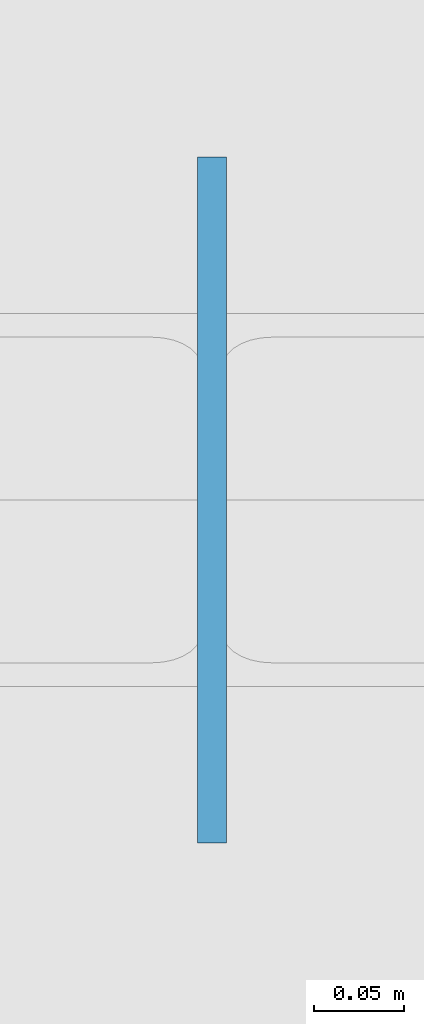
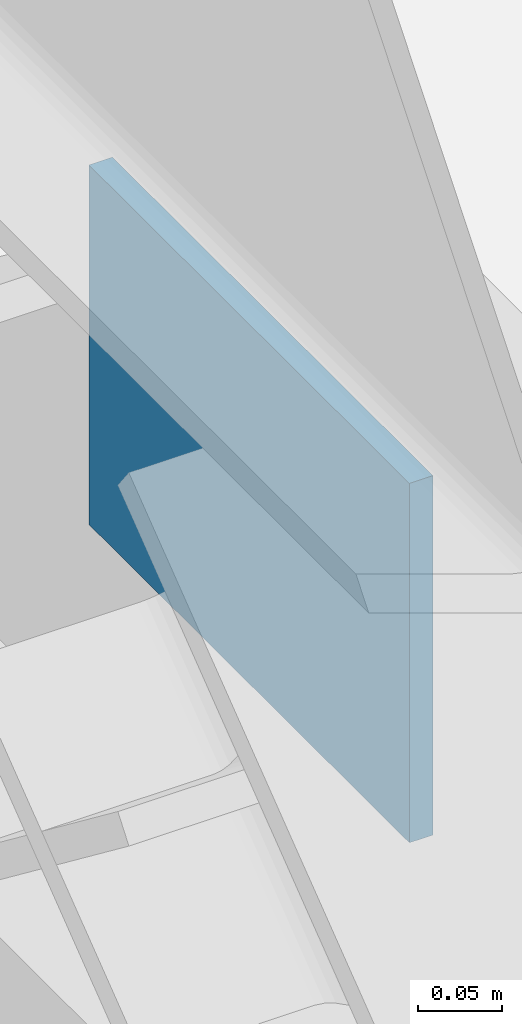
# One storey, part 71 of 101: 1 plate.
"""IFC4 building model written with IfcOpenShell, lengths in metres."""

import ifcopenshell
import ifcopenshell.guid

model = None  # the IFC model being written
_history = None  # IfcOwnerHistory: only IFC2X3 demands one
_inside = {}  # id of a spatial element -> (the spatial element, [elements in it])
_under = {}  # id of a project, library or spatial element -> (it, [spatial elements below it])
_declared = {}  # id of a project -> (the project, [libraries it declares])
_typed = {}  # id of a type object -> (the type object, [elements of that type])
_made_of = {}  # id of a material, layer set ... -> (it, [elements and type objects made of it])


def new_model(schema):
    """Start an empty IFC model of exactly this schema.

    Asked for "IFC4X3", IfcOpenShell would pick the latest addendum, in which some entities
    have other attributes; the version numbers below select the first issue.
    IFC2X3 requires an IfcOwnerHistory on every rooted entity: one is made here for all.
    """
    global model, _history
    if schema == "IFC4X3":
        model = ifcopenshell.file(schema_version=(4, 3, 0, 0))
    else:
        model = ifcopenshell.file(schema=schema)
    _inside.clear()
    _under.clear()
    _declared.clear()
    _typed.clear()
    _made_of.clear()
    _history = None
    if model.schema == "IFC2X3":
        org = make("IfcOrganization", Name="unknown")
        user = make(
            "IfcPersonAndOrganization",
            ThePerson=make("IfcPerson", FamilyName="unknown"),
            TheOrganization=org,
        )
        app = make(
            "IfcApplication",
            ApplicationDeveloper=org,
            Version="unknown",
            ApplicationFullName="unknown",
            ApplicationIdentifier="unknown",
        )
        _history = make(
            "IfcOwnerHistory",
            OwningUser=user,
            OwningApplication=app,
            ChangeAction="ADDED",
            CreationDate=0,
        )
    return model


def make(cls, **values):
    """One entity of the class cls with the attributes given. An attribute that is None is left unset."""
    return model.create_entity(
        cls, **{name: value for name, value in values.items() if value is not None}
    )


def rooted(cls, **values):
    """An entity with a GlobalId (a new one), such as an element, a storey or a relation."""
    return make(cls, GlobalId=ifcopenshell.guid.new(), OwnerHistory=_history, **values)


def si_unit(unit_type, name, prefix=None):
    """IfcSIUnit, for example si_unit("LENGTHUNIT", "METRE", prefix="MILLI")."""
    return make("IfcSIUnit", UnitType=unit_type, Prefix=prefix, Name=name)


def assignment(units):
    """IfcUnitAssignment: the units of a project."""
    return None if units is None else make("IfcUnitAssignment", Units=units)


def point(xyz):
    """IfcCartesianPoint."""
    return None if xyz is None else make("IfcCartesianPoint", Coordinates=xyz)


def direction(xyz):
    """IfcDirection."""
    return None if xyz is None else make("IfcDirection", DirectionRatios=xyz)


def frame(location, z_axis=None, x_axis=None):
    """IfcAxis2Placement3D, a coordinate frame: its origin and axes. An axis left out is left unset."""
    return make(
        "IfcAxis2Placement3D",
        Location=point(location),
        Axis=direction(z_axis),
        RefDirection=direction(x_axis),
    )


def frame_2d(location, x_axis=None):
    """IfcAxis2Placement2D, a coordinate frame in the plane: its origin and x axis."""
    return make(
        "IfcAxis2Placement2D", Location=point(location), RefDirection=direction(x_axis)
    )


def origin():
    """The frame at (0, 0, 0) with its axes left unset."""
    return frame((0.0, 0.0, 0.0))


def origin_2d():
    """The frame at (0, 0) in the plane with its x axis left unset."""
    return frame_2d((0.0, 0.0))


def place(relative_to, where):
    """IfcLocalPlacement: puts the frame where relative to a parent placement (None: the world)."""
    return make(
        "IfcLocalPlacement", PlacementRelTo=relative_to, RelativePlacement=where
    )


def context(
    kind, dimensions, precision=None, world=None, true_north=None, identifier=None
):
    """IfcGeometricRepresentationContext, for example the 3D "Model" context."""
    return make(
        "IfcGeometricRepresentationContext",
        ContextIdentifier=identifier,
        ContextType=kind,
        CoordinateSpaceDimension=dimensions,
        Precision=precision,
        WorldCoordinateSystem=world,
        TrueNorth=true_north,
    )


def subcontext(parent, identifier, kind, view, scale=None):
    """IfcGeometricRepresentationSubContext, for example "Body" below "Model"."""
    return make(
        "IfcGeometricRepresentationSubContext",
        ContextIdentifier=identifier,
        ContextType=kind,
        ParentContext=parent,
        TargetScale=scale,
        TargetView=view,
    )


def project(units=None, contexts=None):
    """IfcProject with its units and contexts."""
    return rooted(
        "IfcProject",
        Name="project",
        RepresentationContexts=contexts,
        UnitsInContext=assignment(units),
    )


def spatial(cls, under=None, at=None, **own):
    """A site, building, storey or space (cls), placed at a placement, below another one or the project."""
    s = rooted(cls, ObjectPlacement=at, **own)
    if under is not None:
        _under.setdefault(under.id(), (under, []))[1].append(s)
    return s


def profile(cls, at=None, kind="AREA", **sizes):
    """A parametric profile (cls). Its sizes go by their IFC names, for example OverallWidth=200.0."""
    return make(cls, ProfileType=kind, Position=at, **sizes)


def rectangle(**sizes):
    """IfcRectangleProfileDef."""
    return profile("IfcRectangleProfileDef", **sizes)


def extrude(swept, where, along, depth):
    """IfcExtrudedAreaSolid: the profile swept, set in the frame where, extruded along a direction by depth."""
    return make(
        "IfcExtrudedAreaSolid",
        SweptArea=swept,
        Position=where,
        ExtrudedDirection=direction(along),
        Depth=depth,
    )


def shape(context_of_items, identifier, shape_type, items):
    """IfcShapeRepresentation: the items that make up one representation, for example the "Body"."""
    return make(
        "IfcShapeRepresentation",
        ContextOfItems=context_of_items,
        RepresentationIdentifier=identifier,
        RepresentationType=shape_type,
        Items=items,
    )


def material(Name=None, Category=None):
    """IfcMaterial."""
    return make("IfcMaterial", Name=Name, Category=Category)


def layer(
    of_material, thickness, ventilated=None, Name=None, Category=None, Priority=None
):
    """IfcMaterialLayer: one layer of a wall or slab, of a material (None: an air gap)."""
    return make(
        "IfcMaterialLayer",
        Material=of_material,
        LayerThickness=thickness,
        IsVentilated=ventilated,
        Name=Name,
        Category=Category,
        Priority=Priority,
    )


def layer_set(layers, Name=None):
    """IfcMaterialLayerSet."""
    return make("IfcMaterialLayerSet", MaterialLayers=layers, LayerSetName=Name)


def made_of(thing, what):
    """Note that an element or type object is made of a material, layer set ...; save() writes the relation."""
    if what is not None:
        _made_of.setdefault(what.id(), (what, []))[1].append(thing)
    return thing


def type_object(cls, material=None, **own):
    """A type object (cls), such as IfcWallType, which elements share."""
    return made_of(rooted(cls, **own), material)


def element(
    cls,
    number,
    at=None,
    inside=None,
    cuts=None,
    type_object=None,
    material=None,
    context=None,
    identifier="Body",
    shape_type=None,
    held_by="IfcProductDefinitionShape",
    body=None,
    shapes=None,
    **own,
):
    """One element of the class cls, such as IfcWall. Its Tag is "e" and its number.

    at: its placement. inside: the storey or other place that contains it. cuts: it is an
    opening in that element (IfcRelVoidsElement). A single representation is given by context,
    identifier, shape_type and body (its items); several are given by shapes. held_by: the class
    of the entity that holds the representations. save() writes the other relations.
    """
    e = rooted(cls, Tag="e%d" % number, ObjectPlacement=at, **own)
    if body is not None:
        shapes = [shape(context, identifier, shape_type, body)]
    if shapes is not None:
        e.Representation = make(held_by, Representations=shapes)
    if inside is not None:
        _inside.setdefault(inside.id(), (inside, []))[1].append(e)
    if cuts is not None:
        rooted(
            "IfcRelVoidsElement", RelatingBuildingElement=cuts, RelatedOpeningElement=e
        )
    if type_object is not None:
        _typed.setdefault(type_object.id(), (type_object, []))[1].append(e)
    return made_of(e, material)


def aggregate(whole, parts):
    """IfcRelAggregates: a whole, such as a stair, and the parts it consists of."""
    return rooted("IfcRelAggregates", RelatingObject=whole, RelatedObjects=parts)


def save(model, path):
    """Write the relations noted so far, then the file.

    IfcRelAggregates (storeys below a building ...), IfcRelContainedInSpatialStructure (elements
    in a storey), IfcRelDefinesByType, IfcRelAssociatesMaterial and IfcRelDeclares: one each for
    every whole, place, type object, material and project.
    """
    for whole, parts in _under.values():
        aggregate(whole, parts)
    for where, things in _inside.values():
        rooted(
            "IfcRelContainedInSpatialStructure",
            RelatedElements=things,
            RelatingStructure=where,
        )
    for kind, things in _typed.values():
        rooted("IfcRelDefinesByType", RelatedObjects=things, RelatingType=kind)
    for what, things in _made_of.values():
        rooted("IfcRelAssociatesMaterial", RelatedObjects=things, RelatingMaterial=what)
    for by, libraries in _declared.values():
        rooted("IfcRelDeclares", RelatingContext=by, RelatedDefinitions=libraries)
    model.write(path)


model = new_model("IFC4")

# Units and contexts
model_context = context("Model", 3, precision=1e-05, world=origin(), true_north=direction((0.0, 1.0)))
body_context = subcontext(model_context, "Body", "Model", "MODEL_VIEW")
ifc_project = project(units=[si_unit("LENGTHUNIT", "METRE"), si_unit("AREAUNIT", "SQUARE_METRE"), si_unit("VOLUMEUNIT", "CUBIC_METRE"), si_unit("PLANEANGLEUNIT", "RADIAN"), si_unit("MASSUNIT", "GRAM", prefix="KILO")], contexts=[model_context])

# Site, building, storey
site_placement = place(None, origin())
site = spatial("IfcSite", under=ifc_project, at=site_placement, CompositionType="ELEMENT")
building_placement = place(site_placement, origin())
building = spatial("IfcBuilding", under=site, at=building_placement, Name="Qasida Concert Hall", CompositionType="ELEMENT")
storey_placement = place(building_placement, frame((0.0, 0.0, 13.199951171875)))
storey = spatial("IfcBuildingStorey", under=building, at=storey_placement, Name="L03", CompositionType="ELEMENT", Elevation=13.199951171875)

# Plate
ifc_material = material(Name="Steel S355J2", Category="steel")
ifc_layer = layer(ifc_material, 0.01611328125, Name="Steel S355J2")
ifc_layer_set = layer_set([ifc_layer], Name="Steel S355J2")
plate_type = type_object("IfcPlateType", Name="PLT-PL-EC3", PredefinedType="SHEET", material=ifc_layer_set)
plate_placement = place(storey_placement, frame((0.0, 101.25, 2.740234375), z_axis=(0.0, 0.0, 1.0), x_axis=(0.0, 1.0, 0.0)))
element("IfcPlate", 1, at=plate_placement, inside=storey, type_object=plate_type, Name="Chevron apex plate CBF-0102", PredefinedType="SHEET", context=body_context, shape_type="SweptSolid", body=[
    extrude(rectangle(XDim=0.3798828125, YDim=0.01611328125, at=origin_2d()), origin(), (0.0, 0.0, 1.0), 0.260009765625),
])

save(model, "model.ifc")
